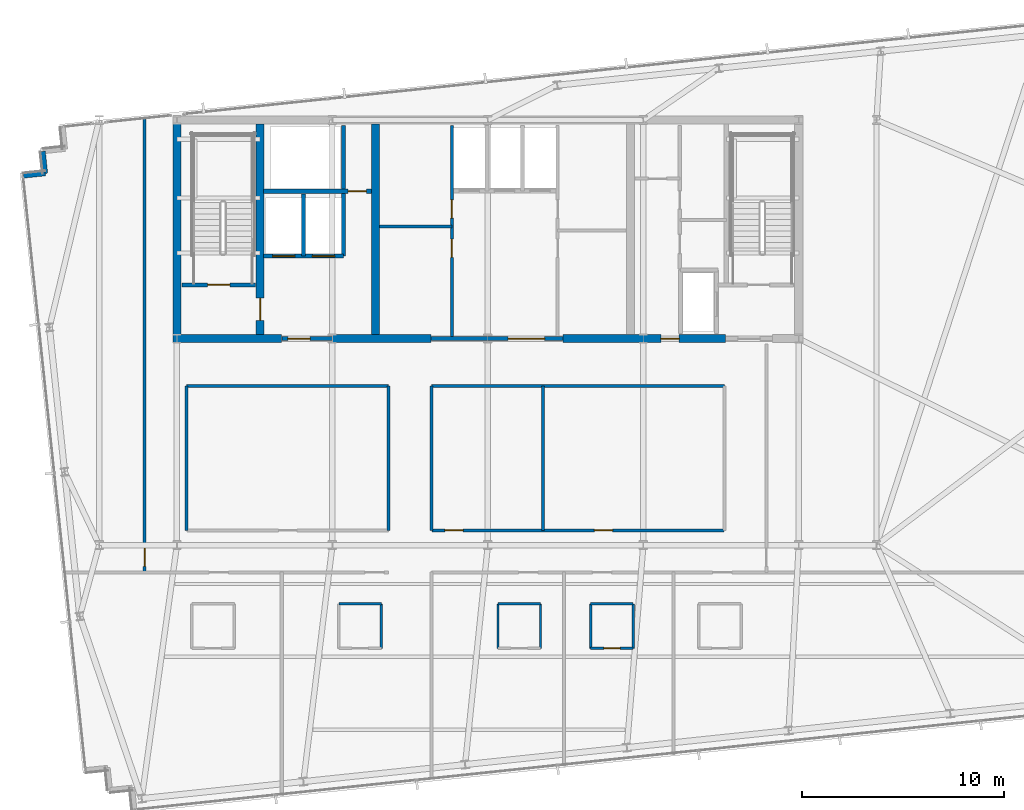
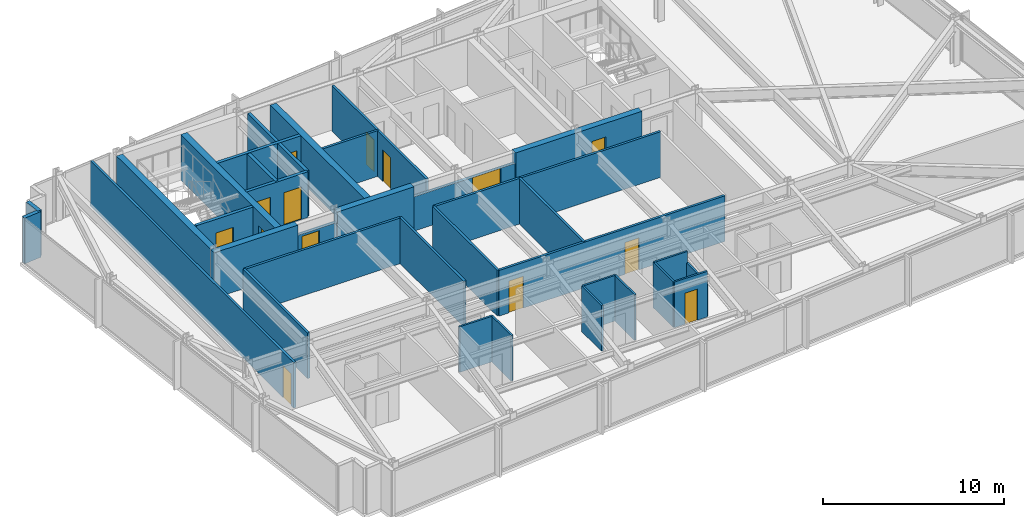
# One storey, part 27 of 33: 34 walls, 14 doors, 14 openings.
"""IFC4 building model written with IfcOpenShell, lengths in metres."""

from ifc_helpers import new_model, si_unit, direction, frame, frame_2d, origin, place, context, subcontext, project, spatial, rectangle, extrude, material, layer, layer_set, type_object, element, fill, save


model = new_model("IFC4")

# Units and contexts
model_context = context("Model", 3, precision=1e-05, world=origin(), true_north=direction((0.0, 1.0)))
body_context = subcontext(model_context, "Body", "Model", "MODEL_VIEW")
ifc_project = project(units=[si_unit("LENGTHUNIT", "METRE"), si_unit("AREAUNIT", "SQUARE_METRE"), si_unit("VOLUMEUNIT", "CUBIC_METRE"), si_unit("PLANEANGLEUNIT", "RADIAN"), si_unit("MASSUNIT", "GRAM", prefix="KILO")], contexts=[model_context])

# Site, building, storey
site_placement = place(None, origin())
site = spatial("IfcSite", under=ifc_project, at=site_placement, CompositionType="ELEMENT")
building_placement = place(site_placement, origin())
building = spatial("IfcBuilding", under=site, at=building_placement, Name="Yelkora Congress Tower", CompositionType="ELEMENT")
storey_placement = place(building_placement, frame((0.0, 0.0, 224.300048828125)))
storey = spatial("IfcBuildingStorey", under=building, at=storey_placement, Name="L62", CompositionType="ELEMENT", Elevation=224.300048828125)

# Walls
ifc_material_1 = material(Name="Concrete C50/60", Category="concrete")
ifc_layer_1 = layer(ifc_material_1, 0.39990234375)
ifc_layer_set_1 = layer_set([ifc_layer_1], Name="Concrete C50/60")
wall_type_1 = type_object("IfcWallType", Name="WALL-CORE-INT-400", PredefinedType="SHEAR", material=ifc_layer_set_1)
wall_1_placement = place(storey_placement, frame((22.840087890625, 35.39990234375, 0.0), z_axis=(0.0, 0.0, 1.0), x_axis=(1.0, 0.0, 0.0)))
element("IfcWall", 1, at=wall_1_placement, inside=storey, type_object=wall_type_1, Name="L62 Rear Core South-West Shear Wall", PredefinedType="SHEAR", context=body_context, shape_type="SweptSolid", body=[
    extrude(rectangle(XDim=5.35986328125, YDim=0.39990234375, at=frame_2d((2.679931640625, 0.0))), origin(), (0.0, 0.0, 1.0), 3.079833984375),
])
wall_2_placement = place(storey_placement, frame((30.719970703125, 35.39990234375, 0.0), z_axis=(0.0, 0.0, 1.0), x_axis=(1.0, 0.0, 0.0)))
element("IfcWall", 2, at=wall_2_placement, inside=storey, type_object=wall_type_1, Name="L62 Rear Core South-Center Shear Pier", PredefinedType="SHEAR", context=body_context, shape_type="SweptSolid", body=[
    extrude(rectangle(XDim=4.880126953125, YDim=0.39990234375, at=frame_2d((2.43994140625, 0.0))), origin(), (0.0, 0.0, 1.0), 3.079833984375),
])

# Wall, opening, door
wall_3_placement = place(storey_placement, frame((42.10009765625, 35.39990234375, 0.0), z_axis=(0.0, 0.0, 1.0), x_axis=(1.0, 0.0, 0.0)))
wall_3 = element("IfcWall", 3, at=wall_3_placement, inside=storey, type_object=wall_type_1, Name="L62 Rear Core South-East Shear Wall A", PredefinedType="SHEAR", context=body_context, shape_type="SweptSolid", body=[
    extrude(rectangle(XDim=8.0498046875, YDim=0.39990234375, at=frame_2d((4.02490234375, 0.0))), origin(), (0.0, 0.0, 1.0), 3.079833984375),
])
opening_1_placement = place(wall_3_placement, frame((4.85009765625, 0.0, 0.0)))
opening_1 = element("IfcOpeningElement", 4, at=opening_1_placement, cuts=wall_3, Name="Opening DR-090F6", PredefinedType="OPENING", context=body_context, shape_type="SweptSolid", body=[
    extrude(rectangle(XDim=0.89990234375, YDim=2.14990234375, at=frame_2d((0.449951171875, 1.074951171875))), frame((0.0, 0.2099609375, 0.0), z_axis=(0.0, -1.0, 0.0), x_axis=(1.0, 0.0, 0.0)), (0.0, 0.0, 1.0), 0.419921875),
])
ifc_material_2 = material(Name="Painted steel riser fire door leaf", Category="steel")
door_type_1 = type_object("IfcDoorType", Name="DOOR-FD60-900", OperationType="NOTDEFINED", PredefinedType="DOOR", material=ifc_material_2)
door_1_placement = place(opening_1_placement, origin())
door_1 = element("IfcDoor", 5, at=door_1_placement, inside=storey, type_object=door_type_1, Name="L62 Core Washroom Lobby Door", OperationType="SINGLE_SWING_RIGHT", OverallHeight=2.14990234375, OverallWidth=0.89990234375, PredefinedType="DOOR", context=body_context, shape_type="SweptSolid", body=[
    extrude(rectangle(XDim=0.89990234375, YDim=2.14990234375, at=frame_2d((0.449951171875, 1.074951171875))), frame((0.0, 0.02490234375, 0.0), z_axis=(0.0, -1.0, 0.0), x_axis=(1.0, 0.0, 0.0)), (0.0, 0.0, 1.0), 0.050048828125),
])
fill(opening_1, door_1)

# Wall
wall_4_placement = place(storey_placement, frame((23.0400390625, 35.60009765625, 0.0), z_axis=(0.0, 0.0, 1.0), x_axis=(0.0, 1.0, 0.0)))
element("IfcWall", 6, at=wall_4_placement, inside=storey, type_object=wall_type_1, Name="L62 Rear Core Cross Shear Wall W", PredefinedType="SHEAR", context=body_context, shape_type="SweptSolid", body=[
    extrude(rectangle(XDim=10.39990234375, YDim=0.39990234375, at=frame_2d((5.199951171875, 0.0))), origin(), (0.0, 0.0, 1.0), 3.079833984375),
])

# Wall, opening, door
wall_5_placement = place(storey_placement, frame((27.14990234375, 35.60009765625, 0.0), z_axis=(0.0, 0.0, 1.0), x_axis=(0.0, 1.0, 0.0)))
wall_5 = element("IfcWall", 7, at=wall_5_placement, inside=storey, type_object=wall_type_1, Name="L62 Rear Core Cross Shear Wall C1", PredefinedType="SHEAR", context=body_context, shape_type="SweptSolid", body=[
    extrude(rectangle(XDim=10.39990234375, YDim=0.39990234375, at=frame_2d((5.199951171875, 0.0))), origin(), (0.0, 0.0, 1.0), 3.079833984375),
])
opening_2_placement = place(wall_5_placement, frame((0.699951171875, 0.0, 0.0)))
opening_2 = element("IfcOpeningElement", 8, at=opening_2_placement, cuts=wall_5, Name="Opening DR-110F9", PredefinedType="OPENING", context=body_context, shape_type="SweptSolid", body=[
    extrude(rectangle(XDim=1.10009765625, YDim=2.14990234375, at=frame_2d((0.550048828125, 1.074951171875))), frame((0.0, 0.2099609375, 0.0), z_axis=(0.0, -1.0, 0.0), x_axis=(1.0, 0.0, 0.0)), (0.0, 0.0, 1.0), 0.419921875),
])
ifc_material_3 = material(Name="Galvanised steel fire door leaf", Category="steel")
door_type_2 = type_object("IfcDoorType", Name="DOOR-FD90-1100", OperationType="NOTDEFINED", PredefinedType="DOOR", material=ifc_material_3)
door_2_placement = place(opening_2_placement, origin())
door_2 = element("IfcDoor", 9, at=door_2_placement, inside=storey, type_object=door_type_2, Name="L62 Firefighting Stair Transfer Door", OperationType="SINGLE_SWING_LEFT", OverallHeight=2.14990234375, OverallWidth=1.10009765625, PredefinedType="DOOR", context=body_context, shape_type="SweptSolid", body=[
    extrude(rectangle(XDim=1.10009765625, YDim=2.14990234375, at=frame_2d((0.550048828125, 1.074951171875))), frame((0.0, 0.02490234375, 0.0), z_axis=(0.0, -1.0, 0.0), x_axis=(1.0, 0.0, 0.0)), (0.0, 0.0, 1.0), 0.050048828125),
])
fill(opening_2, door_2)

# Walls
wall_6_placement = place(storey_placement, frame((32.85009765625, 35.60009765625, 0.0), z_axis=(0.0, 0.0, 1.0), x_axis=(0.0, 1.0, 0.0)))
element("IfcWall", 10, at=wall_6_placement, inside=storey, type_object=wall_type_1, Name="L62 Rear Core Cross Shear Wall C2", PredefinedType="SHEAR", context=body_context, shape_type="SweptSolid", body=[
    extrude(rectangle(XDim=10.39990234375, YDim=0.39990234375, at=frame_2d((5.199951171875, 0.0))), origin(), (0.0, 0.0, 1.0), 3.079833984375),
])
ifc_material_4 = material(Name="Concrete C40/50", Category="concrete")
ifc_layer_2 = layer(ifc_material_4, 0.239990234375)
ifc_layer_set_2 = layer_set([ifc_layer_2], Name="Concrete C40/50")
wall_type_2 = type_object("IfcWallType", Name="WALL-EXT-LIMESTONE-240", PredefinedType="SOLIDWALL", material=ifc_layer_set_2)
wall_7_placement = place(storey_placement, frame((15.441162109375, 43.444580078125, 0.0), z_axis=(0.0, 0.0, 1.0), x_axis=(0.994495717747, 0.104777227405, 0.0)))
element("IfcWall", 11, at=wall_7_placement, inside=storey, type_object=wall_type_2, Name="L62 Serrated Corner Limestone Pier 6", PredefinedType="SOLIDWALL", context=body_context, shape_type="SweptSolid", body=[
    extrude(rectangle(XDim=1.099853515625, YDim=0.239990234375, at=frame_2d((0.5498046875, 0.0))), origin(), (0.0, 0.0, 1.0), 3.079833984375),
])
wall_8_placement = place(storey_placement, frame((16.534912109375, 43.559814453125, 0.0), z_axis=(0.0, 0.0, 1.0), x_axis=(-0.104315068386, 0.994544300928, 0.0)))
element("IfcWall", 12, at=wall_8_placement, inside=storey, type_object=wall_type_2, Name="L62 Serrated Corner Limestone Pier 7", PredefinedType="SOLIDWALL", context=body_context, shape_type="SweptSolid", body=[
    extrude(rectangle(XDim=1.10009765625, YDim=0.239990234375, at=frame_2d((0.550048828125, 0.0))), origin(), (0.0, 0.0, 1.0), 3.079833984375),
])
ifc_material_5 = material(Name="Moisture-resistant gypsum partition", Category="gypsum")
ifc_layer_3 = layer(ifc_material_5, 0.1201171875)
ifc_layer_set_3 = layer_set([ifc_layer_3], Name="Moisture-resistant gypsum partition")
wall_type_3 = type_object("IfcWallType", Name="WALL-INT-120-NR", PredefinedType="PARTITIONING", material=ifc_layer_set_3)
wall_9_placement = place(storey_placement, frame((31.0400390625, 22.300048828125, 0.0), z_axis=(0.0, 0.0, 1.0), x_axis=(1.0, 0.0, 0.0)))
element("IfcWall", 13, at=wall_9_placement, inside=storey, type_object=wall_type_3, Name="L62 Partition Wall 27", PredefinedType="PARTITIONING", context=body_context, shape_type="SweptSolid", body=[
    extrude(rectangle(XDim=2.099853515625, YDim=0.1201171875, at=frame_2d((1.0498046875, 0.0))), origin(), (0.0, 0.0, 1.0), 3.079833984375),
])
wall_10_placement = place(storey_placement, frame((33.139892578125, 20.10009765625, 0.0), z_axis=(0.0, 0.0, 1.0), x_axis=(0.0, 1.0, 0.0)))
element("IfcWall", 14, at=wall_10_placement, inside=storey, type_object=wall_type_3, Name="L62 Partition Wall 29", PredefinedType="PARTITIONING", context=body_context, shape_type="SweptSolid", body=[
    extrude(rectangle(XDim=2.199951171875, YDim=0.1201171875, at=frame_2d((1.10009765625, 0.0))), origin(), (0.0, 0.0, 1.0), 3.079833984375),
])
wall_11_placement = place(storey_placement, frame((38.89990234375, 22.300048828125, 0.0), z_axis=(0.0, 0.0, 1.0), x_axis=(1.0, 0.0, 0.0)))
element("IfcWall", 15, at=wall_11_placement, inside=storey, type_object=wall_type_3, Name="L62 Partition Wall 32", PredefinedType="PARTITIONING", context=body_context, shape_type="SweptSolid", body=[
    extrude(rectangle(XDim=2.10009765625, YDim=0.1201171875, at=frame_2d((1.050048828125, 0.0))), origin(), (0.0, 0.0, 1.0), 3.079833984375),
])
for number, where, z_axis, x_axis, name in (
    (16, (38.89990234375, 20.10009765625, 0.0), (0.0, 0.0, 1.0), (0.0, 1.0, 0.0), "L62 Partition Wall 33"),
    (17, (41.0, 20.10009765625, 0.0), (0.0, 0.0, 1.0), (0.0, 1.0, 0.0), "L62 Partition Wall 34"),
):
    element("IfcWall", number, at=place(storey_placement, frame(where, z_axis=z_axis, x_axis=x_axis)), inside=storey, type_object=wall_type_3, Name=name, PredefinedType="PARTITIONING", context=body_context, shape_type="SweptSolid", body=[
        extrude(rectangle(XDim=2.199951171875, YDim=0.1201171875, at=frame_2d((1.10009765625, 0.0))), origin(), (0.0, 0.0, 1.0), 3.079833984375),
    ])
wall_12_placement = place(storey_placement, frame((43.47998046875, 22.300048828125, 0.0), z_axis=(0.0, 0.0, 1.0), x_axis=(1.0, 0.0, 0.0)))
element("IfcWall", 18, at=wall_12_placement, inside=storey, type_object=wall_type_3, Name="L62 Partition Wall 37", PredefinedType="PARTITIONING", context=body_context, shape_type="SweptSolid", body=[
    extrude(rectangle(XDim=2.10009765625, YDim=0.1201171875, at=frame_2d((1.050048828125, 0.0))), origin(), (0.0, 0.0, 1.0), 3.079833984375),
])
wall_13_placement = place(storey_placement, frame((43.47998046875, 20.10009765625, 0.0), z_axis=(0.0, 0.0, 1.0), x_axis=(0.0, 1.0, 0.0)))
element("IfcWall", 19, at=wall_13_placement, inside=storey, type_object=wall_type_3, Name="L62 Partition Wall 38", PredefinedType="PARTITIONING", context=body_context, shape_type="SweptSolid", body=[
    extrude(rectangle(XDim=2.199951171875, YDim=0.1201171875, at=frame_2d((1.10009765625, 0.0))), origin(), (0.0, 0.0, 1.0), 3.079833984375),
])
wall_14_placement = place(storey_placement, frame((45.580078125, 20.10009765625, 0.0), z_axis=(0.0, 0.0, 1.0), x_axis=(0.0, 1.0, 0.0)))
element("IfcWall", 20, at=wall_14_placement, inside=storey, type_object=wall_type_3, Name="L62 Partition Wall 39", PredefinedType="PARTITIONING", context=body_context, shape_type="SweptSolid", body=[
    extrude(rectangle(XDim=2.199951171875, YDim=0.1201171875, at=frame_2d((1.10009765625, 0.0))), origin(), (0.0, 0.0, 1.0), 2.31298828125),
])

# Wall, opening, door
wall_15_placement = place(storey_placement, frame((43.47998046875, 20.10009765625, 0.0), z_axis=(0.0, 0.0, 1.0), x_axis=(1.0, 0.0, 0.0)))
wall_15 = element("IfcWall", 21, at=wall_15_placement, inside=storey, type_object=wall_type_3, Name="L62 Partition Wall 40", PredefinedType="PARTITIONING", context=body_context, shape_type="SweptSolid", body=[
    extrude(rectangle(XDim=2.10009765625, YDim=0.1201171875, at=frame_2d((1.050048828125, 0.0))), origin(), (0.0, 0.0, 1.0), 3.079833984375),
])
opening_3_placement = place(wall_15_placement, frame((0.64990234375, 0.0, 0.0)))
opening_3 = element("IfcOpeningElement", 22, at=opening_3_placement, cuts=wall_15, Name="Opening DR-080B", PredefinedType="OPENING", context=body_context, shape_type="SweptSolid", body=[
    extrude(rectangle(XDim=0.800048828125, YDim=2.10009765625, at=frame_2d((0.39990234375, 1.050048828125))), frame((0.0, 0.070068359375, 0.0), z_axis=(0.0, -1.0, 0.0), x_axis=(1.0, 0.0, 0.0)), (0.0, 0.0, 1.0), 0.14013671875),
])
ifc_material_6 = material(Name="Moisture-sealed en-suite timber door", Category="wood")
door_type_3 = type_object("IfcDoorType", Name="DOOR-BATH-800", OperationType="NOTDEFINED", PredefinedType="DOOR", material=ifc_material_6)
door_3_placement = place(opening_3_placement, origin())
door_3 = element("IfcDoor", 23, at=door_3_placement, inside=storey, type_object=door_type_3, Name="L62 En-suite Door 5", OperationType="SINGLE_SWING_LEFT", OverallHeight=2.10009765625, OverallWidth=0.800048828125, PredefinedType="DOOR", context=body_context, shape_type="SweptSolid", body=[
    extrude(rectangle(XDim=0.800048828125, YDim=2.10009765625, at=frame_2d((0.39990234375, 1.050048828125))), frame((0.0, 0.02490234375, 0.0), z_axis=(0.0, -1.0, 0.0), x_axis=(1.0, 0.0, 0.0)), (0.0, 0.0, 1.0), 0.050048828125),
])
fill(opening_3, door_3)

ifc_material_7 = material(Name="Acoustic metal-stud gypsum partition", Category="gypsum")
ifc_layer_4 = layer(ifc_material_7, 0.14990234375)
ifc_layer_set_4 = layer_set([ifc_layer_4], Name="Acoustic metal-stud gypsum partition")
wall_type_4 = type_object("IfcWallType", Name="WALL-INT-150-NR", PredefinedType="PARTITIONING", material=ifc_layer_set_4)
wall_16_placement = place(storey_placement, frame((21.43994140625, 23.85009765625, 0.0), z_axis=(0.0, 0.0, 1.0), x_axis=(0.0, 1.0, 0.0)))
wall_16 = element("IfcWall", 24, at=wall_16_placement, inside=storey, type_object=wall_type_4, Name="L62 Partition Wall 49", PredefinedType="PARTITIONING", context=body_context, shape_type="SweptSolid", body=[
    extrude(rectangle(XDim=22.49755859375, YDim=0.14990234375, at=frame_2d((11.248779296875, 0.0))), origin(), (0.0, 0.0, 1.0), 3.079833984375),
])
opening_4_placement = place(wall_16_placement, frame((0.300048828125, 0.0, 0.0)))
opening_4 = element("IfcOpeningElement", 25, at=opening_4_placement, cuts=wall_16, Name="Opening DR-090N", PredefinedType="OPENING", context=body_context, shape_type="SweptSolid", body=[
    extrude(rectangle(XDim=0.89990234375, YDim=2.14990234375, at=frame_2d((0.449951171875, 1.074951171875))), frame((0.0, 0.0849609375, 0.0), z_axis=(0.0, -1.0, 0.0), x_axis=(1.0, 0.0, 0.0)), (0.0, 0.0, 1.0), 0.169921875),
])
ifc_material_8 = material(Name="Moisture-resistant laminate door leaf", Category="wood")
door_type_4 = type_object("IfcDoorType", Name="DOOR-INT-900", OperationType="NOTDEFINED", PredefinedType="DOOR", material=ifc_material_8)
door_4_placement = place(opening_4_placement, origin())
door_4 = element("IfcDoor", 26, at=door_4_placement, inside=storey, type_object=door_type_4, Name="L62 W Wing Door", OperationType="SINGLE_SWING_RIGHT", OverallHeight=2.14990234375, OverallWidth=0.89990234375, PredefinedType="DOOR", context=body_context, shape_type="SweptSolid", body=[
    extrude(rectangle(XDim=0.89990234375, YDim=2.14990234375, at=frame_2d((0.449951171875, 1.074951171875))), frame((0.0, 0.02490234375, 0.0), z_axis=(0.0, -1.0, 0.0), x_axis=(1.0, 0.0, 0.0)), (0.0, 0.0, 1.0), 0.050048828125),
])
fill(opening_4, door_4)

# Walls
for number, where, z_axis, x_axis, name in (
    (27, (23.52001953125, 25.929931640625, 0.0), (0.0, 0.0, 1.0), (0.0, 1.0, 0.0), "L62 Partition Wall 51"),
    (28, (33.5, 25.929931640625, 0.0), (0.0, 0.0, 1.0), (0.0, 1.0, 0.0), "L62 Partition Wall 53"),
    (29, (35.6201171875, 25.929931640625, 0.0), (0.0, 0.0, 1.0), (0.0, 1.0, 0.0), "L62 Partition Wall 54"),
):
    element("IfcWall", number, at=place(storey_placement, frame(where, z_axis=z_axis, x_axis=x_axis)), inside=storey, type_object=wall_type_4, Name=name, PredefinedType="PARTITIONING", context=body_context, shape_type="SweptSolid", body=[
        extrude(rectangle(XDim=7.1201171875, YDim=0.14990234375, at=frame_2d((3.56005859375, 0.0))), origin(), (0.0, 0.0, 1.0), 3.079833984375),
    ])
wall_17_placement = place(storey_placement, frame((23.52001953125, 33.050048828125, 0.0), z_axis=(0.0, 0.0, 1.0), x_axis=(1.0, 0.0, 0.0)))
element("IfcWall", 30, at=wall_17_placement, inside=storey, type_object=wall_type_4, Name="L62 Partition Wall 55", PredefinedType="PARTITIONING", context=body_context, shape_type="SweptSolid", body=[
    extrude(rectangle(XDim=9.97998046875, YDim=0.14990234375, at=frame_2d((4.989990234375, 0.0))), origin(), (0.0, 0.0, 1.0), 3.079833984375),
])
wall_18_placement = place(storey_placement, frame((35.6201171875, 33.050048828125, 0.0), z_axis=(0.0, 0.0, 1.0), x_axis=(1.0, 0.0, 0.0)))
element("IfcWall", 31, at=wall_18_placement, inside=storey, type_object=wall_type_4, Name="L62 Partition Wall 56", PredefinedType="PARTITIONING", context=body_context, shape_type="SweptSolid", body=[
    extrude(rectangle(XDim=14.4599609375, YDim=0.14990234375, at=frame_2d((7.22998046875, 0.0))), origin(), (0.0, 0.0, 1.0), 3.079833984375),
])
wall_19_placement = place(storey_placement, frame((41.113037109375, 25.929931640625, 0.0), z_axis=(0.0, 0.0, 1.0), x_axis=(0.0, 1.0, 0.0)))
element("IfcWall", 32, at=wall_19_placement, inside=storey, type_object=wall_type_4, Name="L62 Partition Wall 58", PredefinedType="PARTITIONING", context=body_context, shape_type="SweptSolid", body=[
    extrude(rectangle(XDim=7.1201171875, YDim=0.14990234375, at=frame_2d((3.56005859375, 0.0))), origin(), (0.0, 0.0, 1.0), 3.079833984375),
])

# Wall, openings, doors
wall_20_placement = place(storey_placement, frame((35.6298828125, 25.929931640625, 0.0), z_axis=(0.0, 0.0, 1.0), x_axis=(1.0, 0.0, 0.0)))
wall_20 = element("IfcWall", 33, at=wall_20_placement, inside=storey, type_object=wall_type_4, Name="L62 Partition Wall 59", PredefinedType="PARTITIONING", context=body_context, shape_type="SweptSolid", body=[
    extrude(rectangle(XDim=14.43017578125, YDim=0.14990234375, at=frame_2d((7.215087890625, 0.0))), origin(), (0.0, 0.0, 1.0), 3.079833984375),
])
opening_5_placement = place(wall_20_placement, frame((0.64990234375, 0.0, 0.0)))
opening_5 = element("IfcOpeningElement", 34, at=opening_5_placement, cuts=wall_20, Name="Opening DR-090N", PredefinedType="OPENING", context=body_context, shape_type="SweptSolid", body=[
    extrude(rectangle(XDim=0.89990234375, YDim=2.14990234375, at=frame_2d((0.449951171875, 1.074951171875))), frame((0.0, 0.0849609375, 0.0), z_axis=(0.0, -1.0, 0.0), x_axis=(1.0, 0.0, 0.0)), (0.0, 0.0, 1.0), 0.169921875),
])
opening_6_placement = place(wall_20_placement, frame((8.030517578125, 0.0, 0.0)))
opening_6 = element("IfcOpeningElement", 35, at=opening_6_placement, cuts=wall_20, Name="Opening DR-090N", PredefinedType="OPENING", context=body_context, shape_type="SweptSolid", body=[
    extrude(rectangle(XDim=0.89990234375, YDim=2.14990234375, at=frame_2d((0.449951171875, 1.074951171875))), frame((0.0, 0.0849609375, 0.0), z_axis=(0.0, -1.0, 0.0), x_axis=(1.0, 0.0, 0.0)), (0.0, 0.0, 1.0), 0.169921875),
])
door_5_placement = place(opening_5_placement, origin())
door_5 = element("IfcDoor", 36, at=door_5_placement, inside=storey, type_object=door_type_4, Name="L62 Executive Library Door", OperationType="SINGLE_SWING_LEFT", OverallHeight=2.14990234375, OverallWidth=0.89990234375, PredefinedType="DOOR", context=body_context, shape_type="SweptSolid", body=[
    extrude(rectangle(XDim=0.89990234375, YDim=2.14990234375, at=frame_2d((0.449951171875, 1.074951171875))), frame((0.0, 0.02490234375, 0.0), z_axis=(0.0, -1.0, 0.0), x_axis=(1.0, 0.0, 0.0)), (0.0, 0.0, 1.0), 0.050048828125),
])
fill(opening_5, door_5)
door_6_placement = place(opening_6_placement, origin())
door_6 = element("IfcDoor", 37, at=door_6_placement, inside=storey, type_object=door_type_4, Name="L62 Delegate Kiosk Door", OperationType="SINGLE_SWING_RIGHT", OverallHeight=2.14990234375, OverallWidth=0.89990234375, PredefinedType="DOOR", context=body_context, shape_type="SweptSolid", body=[
    extrude(rectangle(XDim=0.89990234375, YDim=2.14990234375, at=frame_2d((0.449951171875, 1.074951171875))), frame((0.0, 0.02490234375, 0.0), z_axis=(0.0, -1.0, 0.0), x_axis=(1.0, 0.0, 0.0)), (0.0, 0.0, 1.0), 0.050048828125),
])
fill(opening_6, door_6)

# Wall
ifc_material_9 = material(Name="Twin-stud fire-rated gypsum partition", Category="gypsum")
ifc_layer_5 = layer(ifc_material_9, 0.14990234375)
ifc_layer_set_5 = layer_set([ifc_layer_5], Name="Twin-stud fire-rated gypsum partition")
wall_type_5 = type_object("IfcWallType", Name="WALL-INT-150-R60", PredefinedType="PARTITIONING", material=ifc_layer_set_5)
wall_21_placement = place(storey_placement, frame((33.050048828125, 40.949951171875, 0.0), z_axis=(0.0, 0.0, 1.0), x_axis=(1.0, 0.0, 0.0)))
element("IfcWall", 38, at=wall_21_placement, inside=storey, type_object=wall_type_5, Name="L62 Partition Wall 11", PredefinedType="PARTITIONING", context=body_context, shape_type="SweptSolid", body=[
    extrude(rectangle(XDim=3.570068359375, YDim=0.14990234375, at=frame_2d((1.78515625, 0.0))), origin(), (0.0, 0.0, 1.0), 3.079833984375),
])

# Wall, openings, doors
wall_22_placement = place(storey_placement, frame((36.6201171875, 35.5, 0.0), z_axis=(0.0, 0.0, 1.0), x_axis=(0.0, 1.0, 0.0)))
wall_22 = element("IfcWall", 39, at=wall_22_placement, inside=storey, type_object=wall_type_5, Name="L62 Partition Wall 12", PredefinedType="PARTITIONING", context=body_context, shape_type="SweptSolid", body=[
    extrude(rectangle(XDim=10.419921875, YDim=0.14990234375, at=frame_2d((5.2099609375, 0.0))), origin(), (0.0, 0.0, 1.0), 3.079833984375),
])
opening_7_placement = place(wall_22_placement, frame((3.919921875, 0.0, 0.0)))
opening_7 = element("IfcOpeningElement", 40, at=opening_7_placement, cuts=wall_22, Name="Opening DR-090F6", PredefinedType="OPENING", context=body_context, shape_type="SweptSolid", body=[
    extrude(rectangle(XDim=0.89990234375, YDim=2.14990234375, at=frame_2d((0.449951171875, 1.074951171875))), frame((0.0, 0.0849609375, 0.0), z_axis=(0.0, -1.0, 0.0), x_axis=(1.0, 0.0, 0.0)), (0.0, 0.0, 1.0), 0.169921875),
])
opening_8_placement = place(wall_22_placement, frame((5.85009765625, 0.0, 0.0)))
opening_8 = element("IfcOpeningElement", 41, at=opening_8_placement, cuts=wall_22, Name="Opening DR-090F6", PredefinedType="OPENING", context=body_context, shape_type="SweptSolid", body=[
    extrude(rectangle(XDim=0.89990234375, YDim=2.14990234375, at=frame_2d((0.449951171875, 1.074951171875))), frame((0.0, 0.0849609375, 0.0), z_axis=(0.0, -1.0, 0.0), x_axis=(1.0, 0.0, 0.0)), (0.0, 0.0, 1.0), 0.169921875),
])
door_7_placement = place(opening_7_placement, origin())
door_7 = element("IfcDoor", 42, at=door_7_placement, inside=storey, type_object=door_type_1, Name="L62 Telecom Store Door", OperationType="SINGLE_SWING_RIGHT", OverallHeight=2.14990234375, OverallWidth=0.89990234375, PredefinedType="DOOR", context=body_context, shape_type="SweptSolid", body=[
    extrude(rectangle(XDim=0.89990234375, YDim=2.14990234375, at=frame_2d((0.449951171875, 1.074951171875))), frame((0.0, 0.02490234375, 0.0), z_axis=(0.0, -1.0, 0.0), x_axis=(1.0, 0.0, 0.0)), (0.0, 0.0, 1.0), 0.050048828125),
])
fill(opening_7, door_7)
door_8_placement = place(opening_8_placement, origin())
door_8 = element("IfcDoor", 43, at=door_8_placement, inside=storey, type_object=door_type_1, Name="L62 Archive Store Door", OperationType="SINGLE_SWING_LEFT", OverallHeight=2.14990234375, OverallWidth=0.89990234375, PredefinedType="DOOR", context=body_context, shape_type="SweptSolid", body=[
    extrude(rectangle(XDim=0.89990234375, YDim=2.14990234375, at=frame_2d((0.449951171875, 1.074951171875))), frame((0.0, 0.02490234375, 0.0), z_axis=(0.0, -1.0, 0.0), x_axis=(1.0, 0.0, 0.0)), (0.0, 0.0, 1.0), 0.050048828125),
])
fill(opening_8, door_8)

# Wall, opening, door
ifc_material_10 = material(Name="Autoclaved aerated concrete blockwork", Category="masonry")
ifc_layer_6 = layer(ifc_material_10, 0.199951171875)
ifc_layer_set_6 = layer_set([ifc_layer_6], Name="Autoclaved aerated concrete blockwork")
wall_type_6 = type_object("IfcWallType", Name="WALL-INT-200-R120", PredefinedType="PARTITIONING", material=ifc_layer_set_6)
wall_23_placement = place(storey_placement, frame((23.300048828125, 38.050048828125, 0.0), z_axis=(0.0, 0.0, 1.0), x_axis=(1.0, 0.0, 0.0)))
wall_23 = element("IfcWall", 44, at=wall_23_placement, inside=storey, type_object=wall_type_6, Name="L62 Stair ST-01 Enclosure Wall", PredefinedType="PARTITIONING", context=body_context, shape_type="SweptSolid", body=[
    extrude(rectangle(XDim=3.619873046875, YDim=0.199951171875, at=frame_2d((1.81005859375, 0.0))), origin(), (0.0, 0.0, 1.0), 3.079833984375),
])
opening_9_placement = place(wall_23_placement, frame((1.260009765625, 0.0, 0.0)))
opening_9 = element("IfcOpeningElement", 45, at=opening_9_placement, cuts=wall_23, Name="Opening DR-110F9", PredefinedType="OPENING", context=body_context, shape_type="SweptSolid", body=[
    extrude(rectangle(XDim=1.10009765625, YDim=2.14990234375, at=frame_2d((0.550048828125, 1.074951171875))), frame((0.0, 0.10986328125, 0.0), z_axis=(0.0, -1.0, 0.0), x_axis=(1.0, 0.0, 0.0)), (0.0, 0.0, 1.0), 0.219970703125),
])
door_9_placement = place(opening_9_placement, origin())
door_9 = element("IfcDoor", 46, at=door_9_placement, inside=storey, type_object=door_type_2, Name="L62 Stair ST-01 Entry Door", OperationType="SINGLE_SWING_LEFT", OverallHeight=2.14990234375, OverallWidth=1.10009765625, PredefinedType="DOOR", context=body_context, shape_type="SweptSolid", body=[
    extrude(rectangle(XDim=1.10009765625, YDim=2.14990234375, at=frame_2d((0.550048828125, 1.074951171875))), frame((0.0, 0.02490234375, 0.0), z_axis=(0.0, -1.0, 0.0), x_axis=(1.0, 0.0, 0.0)), (0.0, 0.0, 1.0), 0.050048828125),
])
fill(opening_9, door_9)

wall_24_placement = place(storey_placement, frame((28.219970703125, 35.39990234375, 0.0), z_axis=(0.0, 0.0, 1.0), x_axis=(1.0, 0.0, 0.0)))
wall_24 = element("IfcWall", 47, at=wall_24_placement, inside=storey, type_object=wall_type_6, Name="L62 Firefighting Lobby South Wall", PredefinedType="PARTITIONING", context=body_context, shape_type="SweptSolid", body=[
    extrude(rectangle(XDim=2.5, YDim=0.199951171875, at=frame_2d((1.25, 0.0))), origin(), (0.0, 0.0, 1.0), 2.31298828125),
])
opening_10_placement = place(wall_24_placement, frame((0.300048828125, 0.0, 0.0)))
opening_10 = element("IfcOpeningElement", 48, at=opening_10_placement, cuts=wall_24, Name="Opening DR-110F9", PredefinedType="OPENING", context=body_context, shape_type="SweptSolid", body=[
    extrude(rectangle(XDim=1.10009765625, YDim=2.14990234375, at=frame_2d((0.550048828125, 1.074951171875))), frame((0.0, 0.10986328125, 0.0), z_axis=(0.0, -1.0, 0.0), x_axis=(1.0, 0.0, 0.0)), (0.0, 0.0, 1.0), 0.219970703125),
])
door_10_placement = place(opening_10_placement, origin())
door_10 = element("IfcDoor", 49, at=door_10_placement, inside=storey, type_object=door_type_2, Name="L62 Firefighting Lobby Corridor Door", OperationType="SINGLE_SWING_RIGHT", OverallHeight=2.14990234375, OverallWidth=1.10009765625, PredefinedType="DOOR", context=body_context, shape_type="SweptSolid", body=[
    extrude(rectangle(XDim=1.10009765625, YDim=2.14990234375, at=frame_2d((0.550048828125, 1.074951171875))), frame((0.0, 0.02490234375, 0.0), z_axis=(0.0, -1.0, 0.0), x_axis=(1.0, 0.0, 0.0)), (0.0, 0.0, 1.0), 0.050048828125),
])
fill(opening_10, door_10)

# Wall, openings, doors
wall_25_placement = place(storey_placement, frame((27.320068359375, 39.47998046875, 0.0), z_axis=(0.0, 0.0, 1.0), x_axis=(1.0, 0.0, 0.0)))
wall_25 = element("IfcWall", 50, at=wall_25_placement, inside=storey, type_object=wall_type_6, Name="L62 Firefighting Lift Front Wall", PredefinedType="PARTITIONING", context=body_context, shape_type="SweptSolid", body=[
    extrude(rectangle(XDim=3.93994140625, YDim=0.199951171875, at=frame_2d((1.969970703125, 0.0))), origin(), (0.0, 0.0, 1.0), 3.079833984375),
])
opening_11_placement = place(wall_25_placement, frame((0.449951171875, 0.0, 0.0)))
opening_11 = element("IfcOpeningElement", 51, at=opening_11_placement, cuts=wall_25, Name="Opening LD-FF11", PredefinedType="OPENING", context=body_context, shape_type="SweptSolid", body=[
    extrude(rectangle(XDim=1.10009765625, YDim=2.199951171875, at=frame_2d((0.550048828125, 1.10009765625))), frame((0.0, 0.10986328125, 0.0), z_axis=(0.0, -1.0, 0.0), x_axis=(1.0, 0.0, 0.0)), (0.0, 0.0, 1.0), 0.219970703125),
])
opening_12_placement = place(wall_25_placement, frame((2.409912109375, 0.0, 0.0)))
opening_12 = element("IfcOpeningElement", 52, at=opening_12_placement, cuts=wall_25, Name="Opening LD-FF11", PredefinedType="OPENING", context=body_context, shape_type="SweptSolid", body=[
    extrude(rectangle(XDim=1.10009765625, YDim=2.199951171875, at=frame_2d((0.550048828125, 1.10009765625))), frame((0.0, 0.10986328125, 0.0), z_axis=(0.0, -1.0, 0.0), x_axis=(1.0, 0.0, 0.0)), (0.0, 0.0, 1.0), 0.219970703125),
])
ifc_material_11 = material(Name="Brushed stainless steel 316L landing door", Category="steel")
door_type_5 = type_object("IfcDoorType", Name="DOOR-LIFT-FF-1100", OperationType="DOUBLE_DOOR_SLIDING", PredefinedType="DOOR", material=ifc_material_11)
door_11_placement = place(opening_11_placement, origin())
door_11 = element("IfcDoor", 53, at=door_11_placement, inside=storey, type_object=door_type_5, Name="Lift Landing Door LF-FF1 L62", OperationType="DOUBLE_DOOR_SLIDING", OverallHeight=2.199951171875, OverallWidth=1.10009765625, PredefinedType="DOOR", context=body_context, shape_type="SweptSolid", body=[
    extrude(rectangle(XDim=1.10009765625, YDim=2.199951171875, at=frame_2d((0.550048828125, 1.10009765625))), frame((0.0, 0.02490234375, 0.0), z_axis=(0.0, -1.0, 0.0), x_axis=(1.0, 0.0, 0.0)), (0.0, 0.0, 1.0), 0.050048828125),
])
fill(opening_11, door_11)
door_12_placement = place(opening_12_placement, origin())
door_12 = element("IfcDoor", 54, at=door_12_placement, inside=storey, type_object=door_type_5, Name="Lift Landing Door LF-FF2 L62", OperationType="DOUBLE_DOOR_SLIDING", OverallHeight=2.199951171875, OverallWidth=1.10009765625, PredefinedType="DOOR", context=body_context, shape_type="SweptSolid", body=[
    extrude(rectangle(XDim=1.10009765625, YDim=2.199951171875, at=frame_2d((0.550048828125, 1.10009765625))), frame((0.0, 0.02490234375, 0.0), z_axis=(0.0, -1.0, 0.0), x_axis=(1.0, 0.0, 0.0)), (0.0, 0.0, 1.0), 0.050048828125),
])
fill(opening_12, door_12)

# Walls
wall_26_placement = place(storey_placement, frame((29.300048828125, 39.47998046875, 0.0), z_axis=(0.0, 0.0, 1.0), x_axis=(0.0, 1.0, 0.0)))
element("IfcWall", 55, at=wall_26_placement, inside=storey, type_object=wall_type_6, Name="L62 Partition Wall 4", PredefinedType="PARTITIONING", context=body_context, shape_type="SweptSolid", body=[
    extrude(rectangle(XDim=3.070068359375, YDim=0.199951171875, at=frame_2d((1.53515625, 0.0))), origin(), (0.0, 0.0, 1.0), 3.079833984375),
])
wall_27_placement = place(storey_placement, frame((31.260009765625, 39.47998046875, 0.0), z_axis=(0.0, 0.0, 1.0), x_axis=(0.0, 1.0, 0.0)))
element("IfcWall", 56, at=wall_27_placement, inside=storey, type_object=wall_type_6, Name="L62 Partition Wall 5", PredefinedType="PARTITIONING", context=body_context, shape_type="SweptSolid", body=[
    extrude(rectangle(XDim=6.43994140625, YDim=0.199951171875, at=frame_2d((3.219970703125, 0.0))), origin(), (0.0, 0.0, 1.0), 3.079833984375),
])

# Wall, opening, door
wall_28_placement = place(storey_placement, frame((27.320068359375, 42.679931640625, 0.0), z_axis=(0.0, 0.0, 1.0), x_axis=(1.0, 0.0, 0.0)))
wall_28 = element("IfcWall", 57, at=wall_28_placement, inside=storey, type_object=wall_type_6, Name="L62 Smoke Riser South Wall", PredefinedType="PARTITIONING", context=body_context, shape_type="SweptSolid", body=[
    extrude(rectangle(XDim=5.329833984375, YDim=0.199951171875, at=frame_2d((2.6650390625, 0.0))), origin(), (0.0, 0.0, 1.0), 3.079833984375),
])
opening_13_placement = place(wall_28_placement, frame((4.179931640625, 0.0, 0.0)))
opening_13 = element("IfcOpeningElement", 58, at=opening_13_placement, cuts=wall_28, Name="Opening DR-090F6", PredefinedType="OPENING", context=body_context, shape_type="SweptSolid", body=[
    extrude(rectangle(XDim=0.89990234375, YDim=2.14990234375, at=frame_2d((0.449951171875, 1.074951171875))), frame((0.0, 0.10986328125, 0.0), z_axis=(0.0, -1.0, 0.0), x_axis=(1.0, 0.0, 0.0)), (0.0, 0.0, 1.0), 0.219970703125),
])
door_13_placement = place(opening_13_placement, origin())
door_13 = element("IfcDoor", 59, at=door_13_placement, inside=storey, type_object=door_type_1, Name="L62 Riser Access Door", OperationType="SINGLE_SWING_LEFT", OverallHeight=2.14990234375, OverallWidth=0.89990234375, PredefinedType="DOOR", context=body_context, shape_type="SweptSolid", body=[
    extrude(rectangle(XDim=0.89990234375, YDim=2.14990234375, at=frame_2d((0.449951171875, 1.074951171875))), frame((0.0, 0.02490234375, 0.0), z_axis=(0.0, -1.0, 0.0), x_axis=(1.0, 0.0, 0.0)), (0.0, 0.0, 1.0), 0.050048828125),
])
fill(opening_13, door_13)

wall_29_placement = place(storey_placement, frame((35.60009765625, 35.39990234375, 0.0), z_axis=(0.0, 0.0, 1.0), x_axis=(1.0, 0.0, 0.0)))
wall_29 = element("IfcWall", 60, at=wall_29_placement, inside=storey, type_object=wall_type_6, Name="L62 Main Lift Lobby South Portal Wall", PredefinedType="PARTITIONING", context=body_context, shape_type="SweptSolid", body=[
    extrude(rectangle(XDim=6.5, YDim=0.199951171875, at=frame_2d((3.25, 0.0))), origin(), (0.0, 0.0, 1.0), 2.31298828125),
])
opening_14_placement = place(wall_29_placement, frame((3.800048828125, 0.0, 0.0)))
opening_14 = element("IfcOpeningElement", 61, at=opening_14_placement, cuts=wall_29, Name="Opening DR-180D", PredefinedType="OPENING", context=body_context, shape_type="SweptSolid", body=[
    extrude(rectangle(XDim=1.800048828125, YDim=2.300048828125, at=frame_2d((0.89990234375, 1.14990234375))), frame((0.0, 0.10986328125, 0.0), z_axis=(0.0, -1.0, 0.0), x_axis=(1.0, 0.0, 0.0)), (0.0, 0.0, 1.0), 0.219970703125),
])
ifc_material_12 = material(Name="Acoustic double congress hall doors", Category="wood")
door_type_6 = type_object("IfcDoorType", Name="DOOR-DBL-1800", OperationType="DOUBLE_DOOR_SINGLE_SWING", PredefinedType="DOOR", material=ifc_material_12)
door_14_placement = place(opening_14_placement, origin())
door_14 = element("IfcDoor", 62, at=door_14_placement, inside=storey, type_object=door_type_6, Name="L62 Main Lift Lobby Portal Door", OperationType="DOUBLE_DOOR_SINGLE_SWING", OverallHeight=2.300048828125, OverallWidth=1.800048828125, PredefinedType="DOOR", context=body_context, shape_type="SweptSolid", body=[
    extrude(rectangle(XDim=1.800048828125, YDim=2.300048828125, at=frame_2d((0.89990234375, 1.14990234375))), frame((0.0, 0.02490234375, 0.0), z_axis=(0.0, -1.0, 0.0), x_axis=(1.0, 0.0, 0.0)), (0.0, 0.0, 1.0), 0.050048828125),
])
fill(opening_14, door_14)

save(model, "model.ifc")
